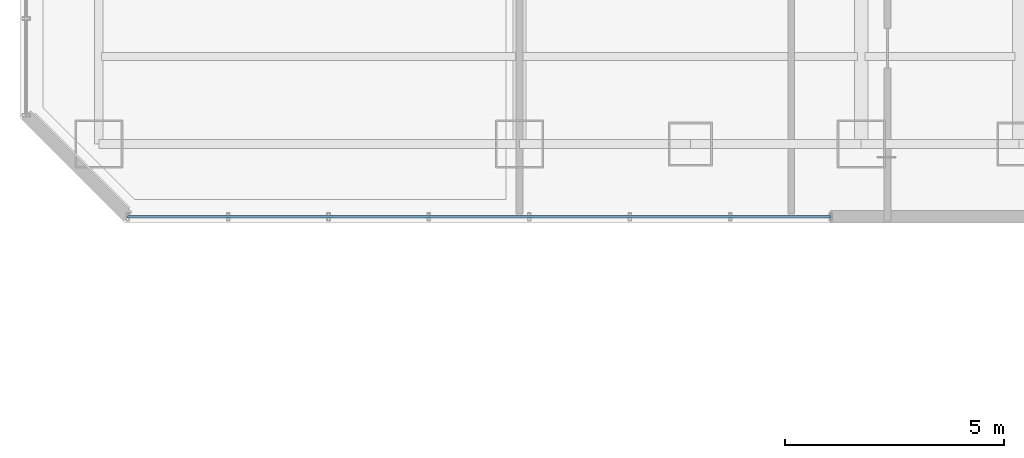
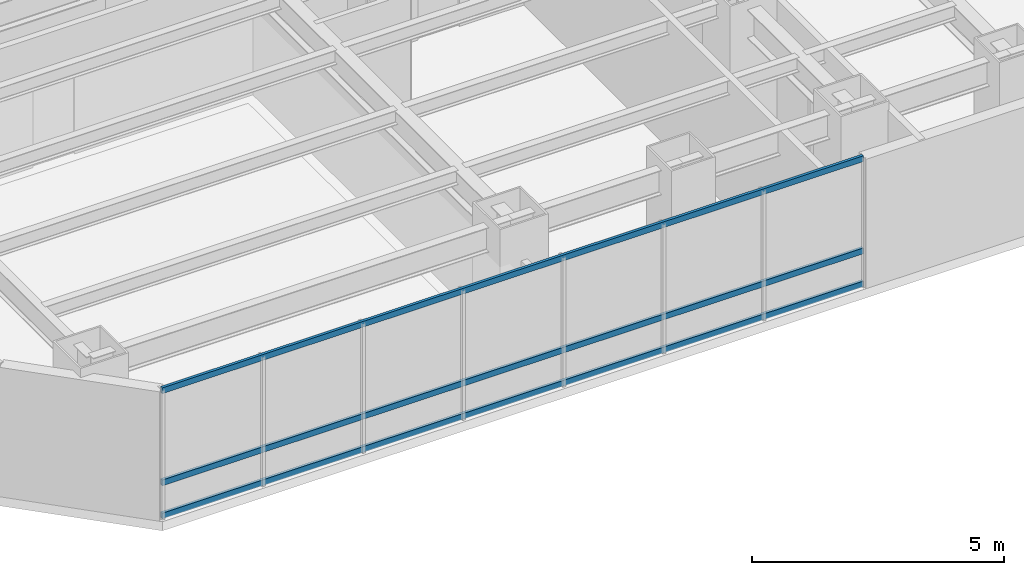
# One storey, part 3 of 37: 3 members, 1 element without a shape of its own.
"""IFC4 building model written with IfcOpenShell, lengths in metres."""

from ifc_helpers import new_model, si_unit, direction, frame, origin, origin_2d, place, context, subcontext, project, spatial, hollow_rectangle, extrude, material, layer, layer_set, material_profile, profile_set, type_object, element, aggregate, save


model = new_model("IFC4")

# Units and contexts
model_context = context("Model", 3, precision=1e-05, world=origin(), true_north=direction((0.0, 1.0)))
body_context = subcontext(model_context, "Body", "Model", "MODEL_VIEW")
ifc_project = project(units=[si_unit("LENGTHUNIT", "METRE"), si_unit("AREAUNIT", "SQUARE_METRE"), si_unit("VOLUMEUNIT", "CUBIC_METRE"), si_unit("PLANEANGLEUNIT", "RADIAN"), si_unit("MASSUNIT", "GRAM", prefix="KILO")], contexts=[model_context])

# Site, building, storey
site_placement = place(None, origin())
site = spatial("IfcSite", under=ifc_project, at=site_placement, CompositionType="ELEMENT")
building_placement = place(site_placement, origin())
building = spatial("IfcBuilding", under=site, at=building_placement, Name="Hatsunagi Terrace Concourse", CompositionType="ELEMENT")
storey_placement = place(building_placement, frame((0.0, 0.0, 39.949951171875)))
storey = spatial("IfcBuildingStorey", under=building, at=storey_placement, Name="L09", CompositionType="ELEMENT", Elevation=39.949951171875)

# Curtain wall, members
ifc_material_1 = material(Name="Anodised Aluminium Alloy 6063-T5", Category="aluminium")
ifc_layer = layer(ifc_material_1, 0.199951171875)
ifc_layer_set = layer_set([ifc_layer], Name="HotelFacade_CW02")
curtain_wall_type = type_object("IfcCurtainWallType", Name="HotelFacade_CW02", PredefinedType="NOTDEFINED", material=ifc_layer_set)
curtain_wall_placement = place(storey_placement, origin())
curtain_wall = element("IfcCurtainWall", 1, at=curtain_wall_placement, inside=storey, type_object=curtain_wall_type, Name="Unitised Curtain Wall CW-02 CW-L09-07", PredefinedType="NOTDEFINED")
ifc_material_2 = material(Name="Anodised Aluminium Alloy 6063-T5", Category="aluminium")
ifc_material_profile = material_profile(ifc_material_2, hollow_rectangle(XDim=0.06494140625, YDim=0.139892578125, WallThickness=0.00390625, at=origin_2d()), Name="ALU-TRN-140x65x4")
ifc_profile_set = profile_set([ifc_material_profile], Name="Anodised Aluminium Alloy 6063-T5")
member_type = type_object("IfcMemberType", Name="CurtainWallTransom_140x65", PredefinedType="USERDEFINED", material=ifc_profile_set)
member_1_placement = place(storey_placement, frame((18.5, 23.5400390625, 0.050048828125), z_axis=(-1.0, 0.0, 0.0), x_axis=(0.0, -1.0, 0.0)))
member_1 = element("IfcMember", 2, at=member_1_placement, type_object=member_type, Name="Curtain Wall Transom TRN-02", ObjectType="TRANSOM", PredefinedType="USERDEFINED", context=body_context, shape_type="SweptSolid", body=[
    extrude(hollow_rectangle(XDim=0.06494140625, YDim=0.139892578125, WallThickness=0.00390625, at=origin_2d()), origin(), (0.0, 0.0, 1.0), 16.0419921875),
])
member_2_placement = place(storey_placement, frame((18.5, 23.5400390625, 0.85009765625), z_axis=(-1.0, 0.0, 0.0), x_axis=(0.0, -1.0, 0.0)))
member_2 = element("IfcMember", 3, at=member_2_placement, type_object=member_type, Name="Curtain Wall Transom TRN-02", ObjectType="TRANSOM", PredefinedType="USERDEFINED", context=body_context, shape_type="SweptSolid", body=[
    extrude(hollow_rectangle(XDim=0.06494140625, YDim=0.139892578125, WallThickness=0.00390625, at=origin_2d()), origin(), (0.0, 0.0, 1.0), 16.0419921875),
])
member_3_placement = place(storey_placement, frame((18.5, 23.5400390625, 3.080078125), z_axis=(-1.0, 0.0, 0.0), x_axis=(0.0, -1.0, 0.0)))
member_3 = element("IfcMember", 4, at=member_3_placement, type_object=member_type, Name="Curtain Wall Transom TRN-02", ObjectType="TRANSOM", PredefinedType="USERDEFINED", context=body_context, shape_type="SweptSolid", body=[
    extrude(hollow_rectangle(XDim=0.06494140625, YDim=0.139892578125, WallThickness=0.00390625, at=origin_2d()), origin(), (0.0, 0.0, 1.0), 16.0419921875),
])
aggregate(curtain_wall, [member_1, member_2, member_3])

save(model, "model.ifc")
